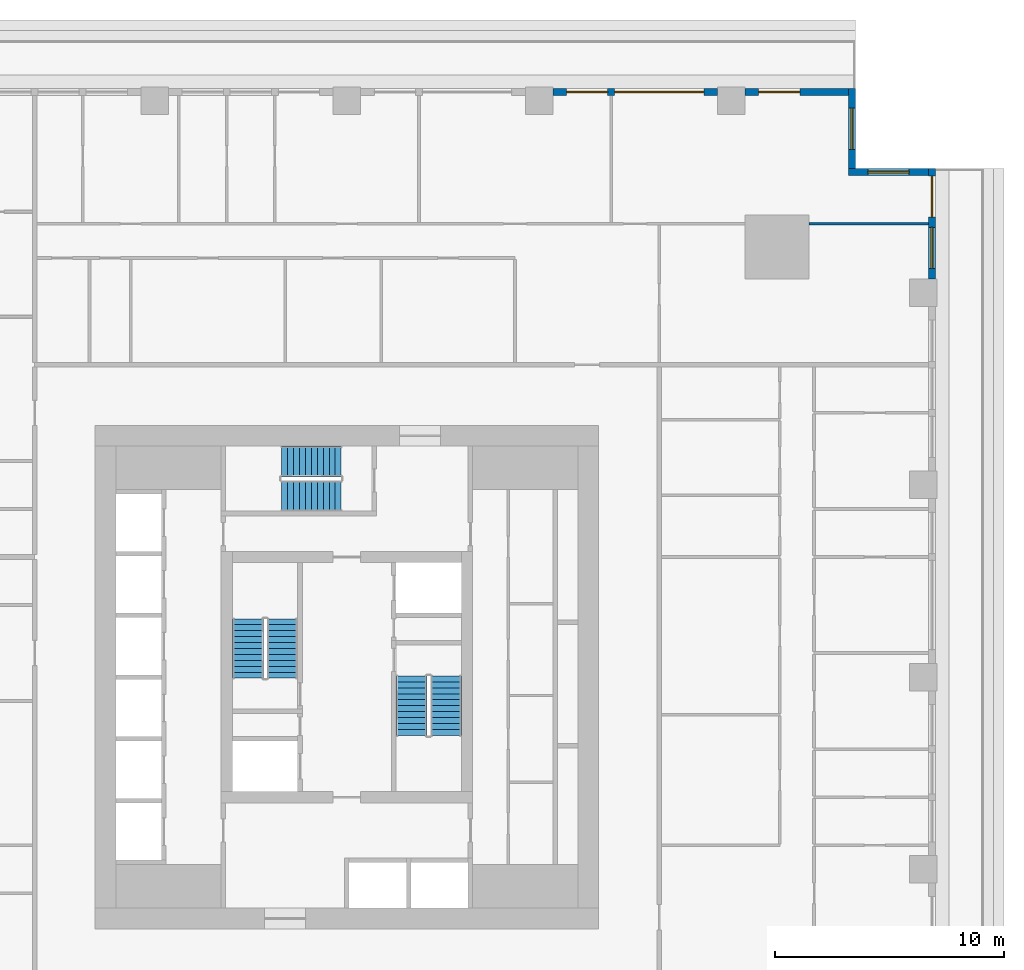
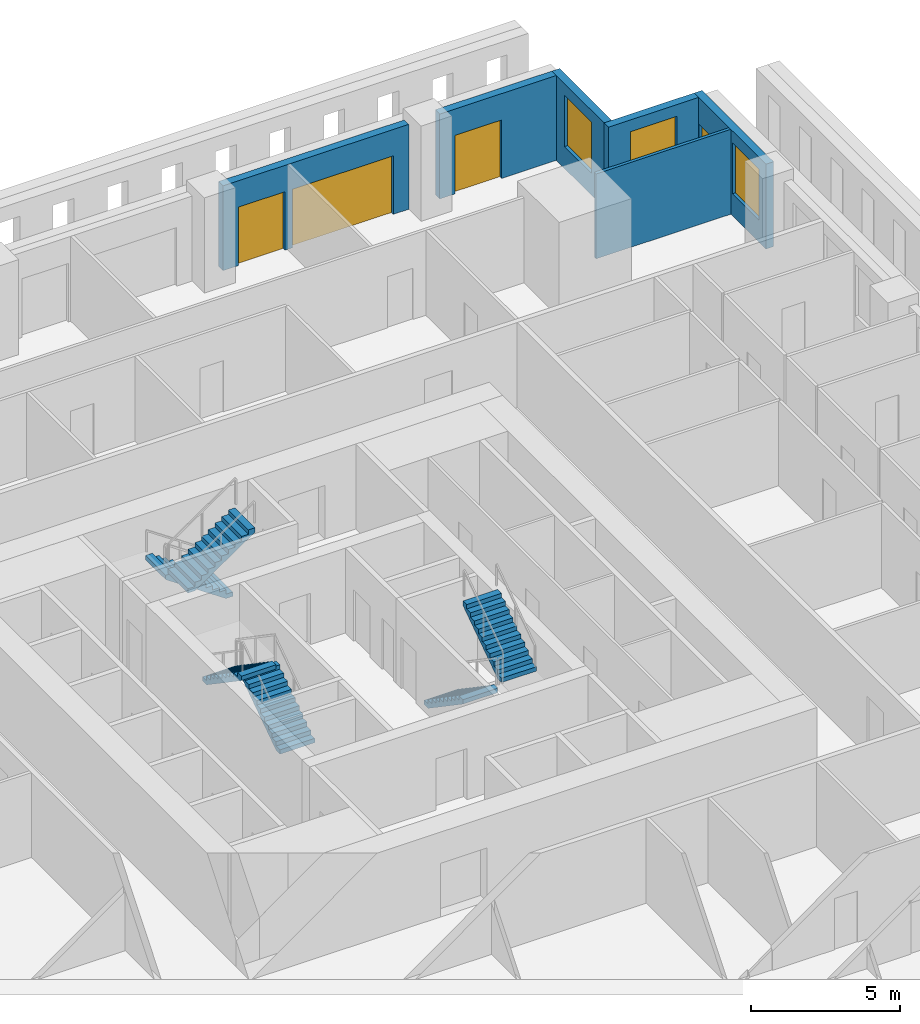
# One storey, part 9 of 14: 6 stair flights, 6 walls, 4 doors, 3 windows, 7 openings, 3 elements without a shape of their own.
"""IFC4 building model written with IfcOpenShell, lengths in metres."""

import ifcopenshell
import ifcopenshell.guid

model = None  # the IFC model being written
_history = None  # IfcOwnerHistory: only IFC2X3 demands one
_inside = {}  # id of a spatial element -> (the spatial element, [elements in it])
_under = {}  # id of a project, library or spatial element -> (it, [spatial elements below it])
_declared = {}  # id of a project -> (the project, [libraries it declares])
_typed = {}  # id of a type object -> (the type object, [elements of that type])
_made_of = {}  # id of a material, layer set ... -> (it, [elements and type objects made of it])


def new_model(schema):
    """Start an empty IFC model of exactly this schema.

    Asked for "IFC4X3", IfcOpenShell would pick the latest addendum, in which some entities
    have other attributes; the version numbers below select the first issue.
    IFC2X3 requires an IfcOwnerHistory on every rooted entity: one is made here for all.
    """
    global model, _history
    if schema == "IFC4X3":
        model = ifcopenshell.file(schema_version=(4, 3, 0, 0))
    else:
        model = ifcopenshell.file(schema=schema)
    _inside.clear()
    _under.clear()
    _declared.clear()
    _typed.clear()
    _made_of.clear()
    _history = None
    if model.schema == "IFC2X3":
        org = make("IfcOrganization", Name="unknown")
        user = make(
            "IfcPersonAndOrganization",
            ThePerson=make("IfcPerson", FamilyName="unknown"),
            TheOrganization=org,
        )
        app = make(
            "IfcApplication",
            ApplicationDeveloper=org,
            Version="unknown",
            ApplicationFullName="unknown",
            ApplicationIdentifier="unknown",
        )
        _history = make(
            "IfcOwnerHistory",
            OwningUser=user,
            OwningApplication=app,
            ChangeAction="ADDED",
            CreationDate=0,
        )
    return model


def make(cls, **values):
    """One entity of the class cls with the attributes given. An attribute that is None is left unset."""
    return model.create_entity(
        cls, **{name: value for name, value in values.items() if value is not None}
    )


def rooted(cls, **values):
    """An entity with a GlobalId (a new one), such as an element, a storey or a relation."""
    return make(cls, GlobalId=ifcopenshell.guid.new(), OwnerHistory=_history, **values)


def si_unit(unit_type, name, prefix=None):
    """IfcSIUnit, for example si_unit("LENGTHUNIT", "METRE", prefix="MILLI")."""
    return make("IfcSIUnit", UnitType=unit_type, Prefix=prefix, Name=name)


def assignment(units):
    """IfcUnitAssignment: the units of a project."""
    return None if units is None else make("IfcUnitAssignment", Units=units)


def point(xyz):
    """IfcCartesianPoint."""
    return None if xyz is None else make("IfcCartesianPoint", Coordinates=xyz)


def direction(xyz):
    """IfcDirection."""
    return None if xyz is None else make("IfcDirection", DirectionRatios=xyz)


def frame(location, z_axis=None, x_axis=None):
    """IfcAxis2Placement3D, a coordinate frame: its origin and axes. An axis left out is left unset."""
    return make(
        "IfcAxis2Placement3D",
        Location=point(location),
        Axis=direction(z_axis),
        RefDirection=direction(x_axis),
    )


def frame_2d(location, x_axis=None):
    """IfcAxis2Placement2D, a coordinate frame in the plane: its origin and x axis."""
    return make(
        "IfcAxis2Placement2D", Location=point(location), RefDirection=direction(x_axis)
    )


def origin():
    """The frame at (0, 0, 0) with its axes left unset."""
    return frame((0.0, 0.0, 0.0))


def place(relative_to, where):
    """IfcLocalPlacement: puts the frame where relative to a parent placement (None: the world)."""
    return make(
        "IfcLocalPlacement", PlacementRelTo=relative_to, RelativePlacement=where
    )


def context(
    kind, dimensions, precision=None, world=None, true_north=None, identifier=None
):
    """IfcGeometricRepresentationContext, for example the 3D "Model" context."""
    return make(
        "IfcGeometricRepresentationContext",
        ContextIdentifier=identifier,
        ContextType=kind,
        CoordinateSpaceDimension=dimensions,
        Precision=precision,
        WorldCoordinateSystem=world,
        TrueNorth=true_north,
    )


def subcontext(parent, identifier, kind, view, scale=None):
    """IfcGeometricRepresentationSubContext, for example "Body" below "Model"."""
    return make(
        "IfcGeometricRepresentationSubContext",
        ContextIdentifier=identifier,
        ContextType=kind,
        ParentContext=parent,
        TargetScale=scale,
        TargetView=view,
    )


def project(units=None, contexts=None):
    """IfcProject with its units and contexts."""
    return rooted(
        "IfcProject",
        Name="project",
        RepresentationContexts=contexts,
        UnitsInContext=assignment(units),
    )


def spatial(cls, under=None, at=None, **own):
    """A site, building, storey or space (cls), placed at a placement, below another one or the project."""
    s = rooted(cls, ObjectPlacement=at, **own)
    if under is not None:
        _under.setdefault(under.id(), (under, []))[1].append(s)
    return s


def polyline(points):
    """IfcPolyline through the points."""
    return make("IfcPolyline", Points=[point(p) for p in points])


def profile(cls, at=None, kind="AREA", **sizes):
    """A parametric profile (cls). Its sizes go by their IFC names, for example OverallWidth=200.0."""
    return make(cls, ProfileType=kind, Position=at, **sizes)


def rectangle(**sizes):
    """IfcRectangleProfileDef."""
    return profile("IfcRectangleProfileDef", **sizes)


def outline(outer, holes=None, kind="AREA"):
    """IfcArbitraryClosedProfileDef: a profile drawn as a closed curve; with holes, ...WithVoids."""
    if holes is None:
        return make("IfcArbitraryClosedProfileDef", ProfileType=kind, OuterCurve=outer)
    return make(
        "IfcArbitraryProfileDefWithVoids",
        ProfileType=kind,
        OuterCurve=outer,
        InnerCurves=holes,
    )


def extrude(swept, where, along, depth):
    """IfcExtrudedAreaSolid: the profile swept, set in the frame where, extruded along a direction by depth."""
    return make(
        "IfcExtrudedAreaSolid",
        SweptArea=swept,
        Position=where,
        ExtrudedDirection=direction(along),
        Depth=depth,
    )


def shape(context_of_items, identifier, shape_type, items):
    """IfcShapeRepresentation: the items that make up one representation, for example the "Body"."""
    return make(
        "IfcShapeRepresentation",
        ContextOfItems=context_of_items,
        RepresentationIdentifier=identifier,
        RepresentationType=shape_type,
        Items=items,
    )


def material(Name=None, Category=None):
    """IfcMaterial."""
    return make("IfcMaterial", Name=Name, Category=Category)


def layer(
    of_material, thickness, ventilated=None, Name=None, Category=None, Priority=None
):
    """IfcMaterialLayer: one layer of a wall or slab, of a material (None: an air gap)."""
    return make(
        "IfcMaterialLayer",
        Material=of_material,
        LayerThickness=thickness,
        IsVentilated=ventilated,
        Name=Name,
        Category=Category,
        Priority=Priority,
    )


def layer_set(layers, Name=None):
    """IfcMaterialLayerSet."""
    return make("IfcMaterialLayerSet", MaterialLayers=layers, LayerSetName=Name)


def made_of(thing, what):
    """Note that an element or type object is made of a material, layer set ...; save() writes the relation."""
    if what is not None:
        _made_of.setdefault(what.id(), (what, []))[1].append(thing)
    return thing


def type_object(cls, material=None, **own):
    """A type object (cls), such as IfcWallType, which elements share."""
    return made_of(rooted(cls, **own), material)


def element(
    cls,
    number,
    at=None,
    inside=None,
    cuts=None,
    type_object=None,
    material=None,
    context=None,
    identifier="Body",
    shape_type=None,
    held_by="IfcProductDefinitionShape",
    body=None,
    shapes=None,
    **own,
):
    """One element of the class cls, such as IfcWall. Its Tag is "e" and its number.

    at: its placement. inside: the storey or other place that contains it. cuts: it is an
    opening in that element (IfcRelVoidsElement). A single representation is given by context,
    identifier, shape_type and body (its items); several are given by shapes. held_by: the class
    of the entity that holds the representations. save() writes the other relations.
    """
    e = rooted(cls, Tag="e%d" % number, ObjectPlacement=at, **own)
    if body is not None:
        shapes = [shape(context, identifier, shape_type, body)]
    if shapes is not None:
        e.Representation = make(held_by, Representations=shapes)
    if inside is not None:
        _inside.setdefault(inside.id(), (inside, []))[1].append(e)
    if cuts is not None:
        rooted(
            "IfcRelVoidsElement", RelatingBuildingElement=cuts, RelatedOpeningElement=e
        )
    if type_object is not None:
        _typed.setdefault(type_object.id(), (type_object, []))[1].append(e)
    return made_of(e, material)


def fill(opening, filler):
    """IfcRelFillsElement: the door or window that sits in an opening."""
    return rooted(
        "IfcRelFillsElement",
        RelatingOpeningElement=opening,
        RelatedBuildingElement=filler,
    )


def aggregate(whole, parts):
    """IfcRelAggregates: a whole, such as a stair, and the parts it consists of."""
    return rooted("IfcRelAggregates", RelatingObject=whole, RelatedObjects=parts)


def save(model, path):
    """Write the relations noted so far, then the file.

    IfcRelAggregates (storeys below a building ...), IfcRelContainedInSpatialStructure (elements
    in a storey), IfcRelDefinesByType, IfcRelAssociatesMaterial and IfcRelDeclares: one each for
    every whole, place, type object, material and project.
    """
    for whole, parts in _under.values():
        aggregate(whole, parts)
    for where, things in _inside.values():
        rooted(
            "IfcRelContainedInSpatialStructure",
            RelatedElements=things,
            RelatingStructure=where,
        )
    for kind, things in _typed.values():
        rooted("IfcRelDefinesByType", RelatedObjects=things, RelatingType=kind)
    for what, things in _made_of.values():
        rooted("IfcRelAssociatesMaterial", RelatedObjects=things, RelatingMaterial=what)
    for by, libraries in _declared.values():
        rooted("IfcRelDeclares", RelatingContext=by, RelatedDefinitions=libraries)
    model.write(path)


model = new_model("IFC4")

# Units and contexts
model_context = context("Model", 3, precision=1e-05, world=origin(), true_north=direction((0.0, 1.0)))
body_context = subcontext(model_context, "Body", "Model", "MODEL_VIEW")
ifc_project = project(units=[si_unit("LENGTHUNIT", "METRE"), si_unit("AREAUNIT", "SQUARE_METRE"), si_unit("VOLUMEUNIT", "CUBIC_METRE"), si_unit("PLANEANGLEUNIT", "RADIAN"), si_unit("MASSUNIT", "GRAM", prefix="KILO")], contexts=[model_context])

# Site, building, storey
site_placement = place(None, origin())
site = spatial("IfcSite", under=ifc_project, at=site_placement, CompositionType="ELEMENT")
building_placement = place(site_placement, origin())
building = spatial("IfcBuilding", under=site, at=building_placement, Name="Khepri Terraces", CompositionType="ELEMENT")
storey_placement = place(building_placement, frame((0.0, 0.0, 110.39990234375)))
storey = spatial("IfcBuildingStorey", under=building, at=storey_placement, Name="L26", CompositionType="ELEMENT", Elevation=110.39990234375)

# Wall, openings, door, window
ifc_material_1 = material(Name="Precast concrete C50/60 warm stone", Category="masonry")
ifc_layer_1 = layer(ifc_material_1, 0.300048828125, Name="Precast concrete C50/60 warm stone", Category="masonry")
ifc_layer_set_1 = layer_set([ifc_layer_1], Name="Precast concrete C50/60 warm stone")
wall_type_1 = type_object("IfcWallType", Name="WL-EXT-PRECAST-300", PredefinedType="STANDARD", material=ifc_layer_set_1)
wall_1_placement = place(storey_placement, frame((25.570068359375, 17.39990234375, 0.0), z_axis=(0.0, 0.0, 1.0), x_axis=(0.0, 1.0, 0.0)))
wall_1 = element("IfcWall", 1, at=wall_1_placement, inside=storey, type_object=wall_type_1, Name="External wall L26 E", PredefinedType="STANDARD", context=body_context, shape_type="SweptSolid", body=[
    extrude(rectangle(XDim=4.820068359375, YDim=0.300048828125, at=frame_2d((2.41015625, 0.0))), origin(), (0.0, 0.0, 1.0), 3.47998046875),
])
opening_1_placement = place(wall_1_placement, frame((2.699951171875, 0.0, 0.0)))
opening_1 = element("IfcOpeningElement", 2, at=opening_1_placement, cuts=wall_1, Name="Opening ED-L26-04", PredefinedType="OPENING", context=body_context, shape_type="SweptSolid", body=[
    extrude(rectangle(XDim=1.800048828125, YDim=2.39990234375, at=frame_2d((0.89990234375, 1.199951171875))), frame((0.0, 0.16015625, 0.0), z_axis=(0.0, -1.0, 0.0), x_axis=(1.0, 0.0, 0.0)), (0.0, 0.0, 1.0), 0.320068359375),
])
opening_2_placement = place(wall_1_placement, frame((0.4599609375, 0.0, 0.89990234375)))
opening_2 = element("IfcOpeningElement", 3, at=opening_2_placement, cuts=wall_1, Name="Opening W1", PredefinedType="OPENING", context=body_context, shape_type="SweptSolid", body=[
    extrude(rectangle(XDim=1.800048828125, YDim=2.10009765625, at=frame_2d((0.89990234375, 1.050048828125))), frame((0.0, 0.16015625, 0.0), z_axis=(0.0, -1.0, 0.0), x_axis=(1.0, 0.0, 0.0)), (0.0, 0.0, 1.0), 0.320068359375),
])
ifc_material_2 = material(Name="Anodised aluminium bronze glazed door", Category="aluminium")
door_type_1 = type_object("IfcDoorType", Name="DR-BAL-SLIDE-1800x2400", OperationType="NOTDEFINED", PredefinedType="DOOR", material=ifc_material_2)
door_1_placement = place(opening_1_placement, origin())
door_1 = element("IfcDoor", 4, at=door_1_placement, inside=storey, type_object=door_type_1, Name="Balcony door L26 E", OperationType="SLIDING_TO_LEFT", OverallHeight=2.39990234375, OverallWidth=1.800048828125, PredefinedType="DOOR", context=body_context, shape_type="SweptSolid", body=[
    extrude(rectangle(XDim=1.800048828125, YDim=2.39990234375, at=frame_2d((0.89990234375, 1.199951171875))), frame((0.0, 0.02490234375, 0.0), z_axis=(0.0, -1.0, 0.0), x_axis=(1.0, 0.0, 0.0)), (0.0, 0.0, 1.0), 0.050048828125),
])
fill(opening_1, door_1)
ifc_material_3 = material(Name="Clear glass", Category="glass")
window_type = type_object("IfcWindowType", Name="WIN-RES-1800x2100", PartitioningType="SINGLE_PANEL", PredefinedType="WINDOW", material=ifc_material_3)
window_1_placement = place(opening_2_placement, origin())
window_1 = element("IfcWindow", 5, at=window_1_placement, inside=storey, type_object=window_type, Name="Window L26 E", OverallHeight=2.10009765625, OverallWidth=1.800048828125, PartitioningType="SINGLE_PANEL", PredefinedType="WINDOW", context=body_context, shape_type="SweptSolid", body=[
    extrude(rectangle(XDim=1.800048828125, YDim=2.10009765625, at=frame_2d((0.89990234375, 1.050048828125))), frame((0.0, 0.030029296875, 0.0), z_axis=(0.0, -1.0, 0.0), x_axis=(1.0, 0.0, 0.0)), (0.0, 0.0, 1.0), 0.06005859375),
])
fill(opening_2, window_1)

# Wall, opening, window
wall_2_placement = place(storey_placement, frame((25.419921875, 22.070068359375, 0.0), z_axis=(0.0, 0.0, 1.0), x_axis=(-1.0, 0.0, 0.0)))
wall_2 = element("IfcWall", 6, at=wall_2_placement, inside=storey, type_object=wall_type_1, Name="External wall L26 N", PredefinedType="STANDARD", context=body_context, shape_type="SweptSolid", body=[
    extrude(rectangle(XDim=3.5, YDim=0.300048828125, at=frame_2d((1.75, 0.0))), origin(), (0.0, 0.0, 1.0), 3.47998046875),
])
opening_3_placement = place(wall_2_placement, frame((0.85009765625, 0.0, 0.89990234375)))
opening_3 = element("IfcOpeningElement", 7, at=opening_3_placement, cuts=wall_2, Name="Opening W1", PredefinedType="OPENING", context=body_context, shape_type="SweptSolid", body=[
    extrude(rectangle(XDim=1.800048828125, YDim=2.10009765625, at=frame_2d((0.89990234375, 1.050048828125))), frame((0.0, 0.16015625, 0.0), z_axis=(0.0, -1.0, 0.0), x_axis=(1.0, 0.0, 0.0)), (0.0, 0.0, 1.0), 0.320068359375),
])
window_2_placement = place(opening_3_placement, origin())
window_2 = element("IfcWindow", 8, at=window_2_placement, inside=storey, type_object=window_type, Name="Window L26 N", OverallHeight=2.10009765625, OverallWidth=1.800048828125, PartitioningType="SINGLE_PANEL", PredefinedType="WINDOW", context=body_context, shape_type="SweptSolid", body=[
    extrude(rectangle(XDim=1.800048828125, YDim=2.10009765625, at=frame_2d((0.89990234375, 1.050048828125))), frame((0.0, 0.030029296875, 0.0), z_axis=(0.0, -1.0, 0.0), x_axis=(1.0, 0.0, 0.0)), (0.0, 0.0, 1.0), 0.06005859375),
])
fill(opening_3, window_2)

wall_3_placement = place(storey_placement, frame((22.070068359375, 22.219970703125, 0.0), z_axis=(0.0, 0.0, 1.0), x_axis=(0.0, 1.0, 0.0)))
wall_3 = element("IfcWall", 9, at=wall_3_placement, inside=storey, type_object=wall_type_1, Name="External wall L26 E", PredefinedType="STANDARD", context=body_context, shape_type="SweptSolid", body=[
    extrude(rectangle(XDim=3.5, YDim=0.300048828125, at=frame_2d((1.75, 0.0))), origin(), (0.0, 0.0, 1.0), 3.47998046875),
])
opening_4_placement = place(wall_3_placement, frame((0.85009765625, 0.0, 0.89990234375)))
opening_4 = element("IfcOpeningElement", 10, at=opening_4_placement, cuts=wall_3, Name="Opening W1", PredefinedType="OPENING", context=body_context, shape_type="SweptSolid", body=[
    extrude(rectangle(XDim=1.800048828125, YDim=2.10009765625, at=frame_2d((0.89990234375, 1.050048828125))), frame((0.0, 0.16015625, 0.0), z_axis=(0.0, -1.0, 0.0), x_axis=(1.0, 0.0, 0.0)), (0.0, 0.0, 1.0), 0.320068359375),
])
window_3_placement = place(opening_4_placement, origin())
window_3 = element("IfcWindow", 11, at=window_3_placement, inside=storey, type_object=window_type, Name="Window L26 E", OverallHeight=2.10009765625, OverallWidth=1.800048828125, PartitioningType="SINGLE_PANEL", PredefinedType="WINDOW", context=body_context, shape_type="SweptSolid", body=[
    extrude(rectangle(XDim=1.800048828125, YDim=2.10009765625, at=frame_2d((0.89990234375, 1.050048828125))), frame((0.0, 0.030029296875, 0.0), z_axis=(0.0, -1.0, 0.0), x_axis=(1.0, 0.0, 0.0)), (0.0, 0.0, 1.0), 0.06005859375),
])
fill(opening_4, window_3)

# Wall, opening, door
wall_4_placement = place(storey_placement, frame((21.919921875, 25.570068359375, 0.0), z_axis=(0.0, 0.0, 1.0), x_axis=(-1.0, 0.0, 0.0)))
wall_4 = element("IfcWall", 12, at=wall_4_placement, inside=storey, type_object=wall_type_1, Name="External wall L26 N", PredefinedType="STANDARD", context=body_context, shape_type="SweptSolid", body=[
    extrude(rectangle(XDim=4.52001953125, YDim=0.300048828125, at=frame_2d((2.260009765625, 0.0))), origin(), (0.0, 0.0, 1.0), 3.47998046875),
])
opening_5_placement = place(wall_4_placement, frame((2.1201171875, 0.0, 0.0)))
opening_5 = element("IfcOpeningElement", 13, at=opening_5_placement, cuts=wall_4, Name="Opening ED-L26-05", PredefinedType="OPENING", context=body_context, shape_type="SweptSolid", body=[
    extrude(rectangle(XDim=1.800048828125, YDim=2.39990234375, at=frame_2d((0.89990234375, 1.199951171875))), frame((0.0, 0.16015625, 0.0), z_axis=(0.0, -1.0, 0.0), x_axis=(1.0, 0.0, 0.0)), (0.0, 0.0, 1.0), 0.320068359375),
])
door_2_placement = place(opening_5_placement, origin())
door_2 = element("IfcDoor", 14, at=door_2_placement, inside=storey, type_object=door_type_1, Name="Balcony door L26 N", OperationType="SLIDING_TO_RIGHT", OverallHeight=2.39990234375, OverallWidth=1.800048828125, PredefinedType="DOOR", context=body_context, shape_type="SweptSolid", body=[
    extrude(rectangle(XDim=1.800048828125, YDim=2.39990234375, at=frame_2d((0.89990234375, 1.199951171875))), frame((0.0, 0.02490234375, 0.0), z_axis=(0.0, -1.0, 0.0), x_axis=(1.0, 0.0, 0.0)), (0.0, 0.0, 1.0), 0.050048828125),
])
fill(opening_5, door_2)

# Wall, openings, doors
wall_5_placement = place(storey_placement, frame((16.199951171875, 25.570068359375, 0.0), z_axis=(0.0, 0.0, 1.0), x_axis=(-1.0, 0.0, 0.0)))
wall_5 = element("IfcWall", 15, at=wall_5_placement, inside=storey, type_object=wall_type_1, Name="External wall L26 N", PredefinedType="STANDARD", context=body_context, shape_type="SweptSolid", body=[
    extrude(rectangle(XDim=7.199951171875, YDim=0.300048828125, at=frame_2d((3.60009765625, 0.0))), origin(), (0.0, 0.0, 1.0), 3.47998046875),
])
opening_6_placement = place(wall_5_placement, frame((0.60009765625, 0.0, 0.0)))
opening_6 = element("IfcOpeningElement", 16, at=opening_6_placement, cuts=wall_5, Name="Opening ED-L26-06", PredefinedType="OPENING", context=body_context, shape_type="SweptSolid", body=[
    extrude(rectangle(XDim=3.89990234375, YDim=2.39990234375, at=frame_2d((1.949951171875, 1.199951171875))), frame((0.0, 0.16015625, 0.0), z_axis=(0.0, -1.0, 0.0), x_axis=(1.0, 0.0, 0.0)), (0.0, 0.0, 1.0), 0.320068359375),
])
opening_7_placement = place(wall_5_placement, frame((4.800048828125, 0.0, 0.0)))
opening_7 = element("IfcOpeningElement", 17, at=opening_7_placement, cuts=wall_5, Name="Opening ED-L26-07", PredefinedType="OPENING", context=body_context, shape_type="SweptSolid", body=[
    extrude(rectangle(XDim=1.800048828125, YDim=2.39990234375, at=frame_2d((0.89990234375, 1.199951171875))), frame((0.0, 0.16015625, 0.0), z_axis=(0.0, -1.0, 0.0), x_axis=(1.0, 0.0, 0.0)), (0.0, 0.0, 1.0), 0.320068359375),
])
door_3_placement = place(opening_7_placement, origin())
door_3 = element("IfcDoor", 18, at=door_3_placement, inside=storey, type_object=door_type_1, Name="Balcony door L26 N", OperationType="SLIDING_TO_RIGHT", OverallHeight=2.39990234375, OverallWidth=1.800048828125, PredefinedType="DOOR", context=body_context, shape_type="SweptSolid", body=[
    extrude(rectangle(XDim=1.800048828125, YDim=2.39990234375, at=frame_2d((0.89990234375, 1.199951171875))), frame((0.0, 0.02490234375, 0.0), z_axis=(0.0, -1.0, 0.0), x_axis=(1.0, 0.0, 0.0)), (0.0, 0.0, 1.0), 0.050048828125),
])
fill(opening_7, door_3)
door_type_2 = type_object("IfcDoorType", Name="DR-BAL-SLIDE-3900x2400", OperationType="NOTDEFINED", PredefinedType="DOOR", material=ifc_material_2)
door_4_placement = place(opening_6_placement, origin())
door_4 = element("IfcDoor", 19, at=door_4_placement, inside=storey, type_object=door_type_2, Name="Balcony door L26 N", OperationType="SLIDING_TO_LEFT", OverallHeight=2.39990234375, OverallWidth=3.89990234375, PredefinedType="DOOR", context=body_context, shape_type="SweptSolid", body=[
    extrude(rectangle(XDim=3.89990234375, YDim=2.39990234375, at=frame_2d((1.949951171875, 1.199951171875))), frame((0.0, 0.02490234375, 0.0), z_axis=(0.0, -1.0, 0.0), x_axis=(1.0, 0.0, 0.0)), (0.0, 0.0, 1.0), 0.050048828125),
])
fill(opening_6, door_4)

# Wall
ifc_material_4 = material(Name="Gypsum plasterboard partition")
ifc_layer_2 = layer(ifc_material_4, 0.1201171875, Name="Gypsum plasterboard partition")
ifc_layer_set_2 = layer_set([ifc_layer_2], Name="Gypsum plasterboard partition")
wall_type_2 = type_object("IfcWallType", Name="WL-PART-120", PredefinedType="PARTITIONING", material=ifc_layer_set_2)
wall_6_placement = place(storey_placement, frame((20.199951171875, 19.820068359375, 0.0), z_axis=(0.0, 0.0, 1.0), x_axis=(1.0, 0.0, 0.0)))
element("IfcWall", 20, at=wall_6_placement, inside=storey, type_object=wall_type_2, Name="Partition P-077 L26", PredefinedType="PARTITIONING", context=body_context, shape_type="SweptSolid", body=[
    extrude(rectangle(XDim=5.219970703125, YDim=0.1201171875, at=frame_2d((2.60986328125, 0.0))), origin(), (0.0, 0.0, 1.0), 3.47998046875),
])

# Stair, stair flights
ifc_material_5 = material(Name="Concrete C40/50", Category="concrete")
stair_type = type_object("IfcStairType", Name="STAIR-RC-22R", PredefinedType="HALF_TURN_STAIR", material=ifc_material_5)
stair_1_placement = place(storey_placement, origin())
stair_1 = element("IfcStair", 21, at=stair_1_placement, inside=storey, type_object=stair_type, Name="L26 Exit Stair ST-1", PredefinedType="HALF_TURN_STAIR")
stair_flight_type = type_object("IfcStairFlightType", Name="SFL-RC-177.3", PredefinedType="STRAIGHT", material=ifc_material_5)
stair_flight_1_placement = place(storey_placement, frame((-2.824951171875, -0.050048828125, 0.0), z_axis=(0.0, 0.0, 1.0), x_axis=(0.0, 1.0, 0.0)))
stair_flight_1 = element("IfcStairFlight", 22, at=stair_flight_1_placement, type_object=stair_flight_type, Name="ST-1 flight 1", NumberOfRisers=11, NumberOfTreads=10, PredefinedType="STRAIGHT", RiserHeight=0.177272727, TreadLength=0.26, context=body_context, shape_type="SweptSolid", body=[
    extrude(outline(polyline([(0.0, 0.0), (0.0, 0.17724609375), (0.260009765625, 0.17724609375), (0.260009765625, 0.3544921875), (0.52001953125, 0.3544921875), (0.52001953125, 0.53173828125), (0.780029296875, 0.53173828125), (0.780029296875, 0.708984375), (1.0400390625, 0.708984375), (1.0400390625, 0.886474609375), (1.300048828125, 0.886474609375), (1.300048828125, 1.063720703125), (1.56005859375, 1.063720703125), (1.56005859375, 1.240966796875), (1.820068359375, 1.240966796875), (1.820068359375, 1.418212890625), (2.080078125, 1.418212890625), (2.080078125, 1.595458984375), (2.340087890625, 1.595458984375), (2.340087890625, 1.772705078125), (2.60009765625, 1.772705078125), (2.60009765625, 1.949951171875), (2.60009765625, 1.59130859375), (0.26611328125, 0.0), (0.0, 0.0)])), frame((0.0, 0.675048828125, 0.0), z_axis=(0.0, -1.0, 0.0), x_axis=(1.0, 0.0, 0.0)), (0.0, 0.0, 1.0), 1.35009765625),
])
stair_flight_2_placement = place(storey_placement, frame((-4.324951171875, 2.550048828125, 1.9501953125), z_axis=(0.0, 0.0, 1.0), x_axis=(0.0, -1.0, 0.0)))
stair_flight_2 = element("IfcStairFlight", 23, at=stair_flight_2_placement, type_object=stair_flight_type, Name="ST-1 flight 2", NumberOfRisers=11, NumberOfTreads=10, PredefinedType="STRAIGHT", RiserHeight=0.177272727, TreadLength=0.26, context=body_context, shape_type="SweptSolid", body=[
    extrude(outline(polyline([(0.0, 0.0), (0.0, 0.17724609375), (0.260009765625, 0.17724609375), (0.260009765625, 0.3544921875), (0.52001953125, 0.3544921875), (0.52001953125, 0.53173828125), (0.780029296875, 0.53173828125), (0.780029296875, 0.708984375), (1.0400390625, 0.708984375), (1.0400390625, 0.886474609375), (1.300048828125, 0.886474609375), (1.300048828125, 1.063720703125), (1.56005859375, 1.063720703125), (1.56005859375, 1.240966796875), (1.820068359375, 1.240966796875), (1.820068359375, 1.418212890625), (2.080078125, 1.418212890625), (2.080078125, 1.595458984375), (2.340087890625, 1.595458984375), (2.340087890625, 1.772705078125), (2.60009765625, 1.772705078125), (2.60009765625, 1.949951171875), (2.60009765625, 1.59130859375), (0.26611328125, 0.0), (0.0, 0.0)])), frame((0.0, 0.675048828125, 0.0), z_axis=(0.0, -1.0, 0.0), x_axis=(1.0, 0.0, 0.0)), (0.0, 0.0, 1.0), 1.35009765625),
])
aggregate(stair_1, [stair_flight_1, stair_flight_2])

stair_2_placement = place(storey_placement, origin())
stair_2 = element("IfcStair", 24, at=stair_2_placement, inside=storey, type_object=stair_type, Name="L26 Exit Stair ST-2", PredefinedType="HALF_TURN_STAIR")
stair_flight_3_placement = place(storey_placement, frame((2.824951171875, 0.050048828125, 0.0), z_axis=(0.0, 0.0, 1.0), x_axis=(0.0, -1.0, 0.0)))
stair_flight_3 = element("IfcStairFlight", 25, at=stair_flight_3_placement, type_object=stair_flight_type, Name="ST-2 flight 1", NumberOfRisers=11, NumberOfTreads=10, PredefinedType="STRAIGHT", RiserHeight=0.177272727, TreadLength=0.26, context=body_context, shape_type="SweptSolid", body=[
    extrude(outline(polyline([(0.0, 0.0), (0.0, 0.17724609375), (0.260009765625, 0.17724609375), (0.260009765625, 0.3544921875), (0.52001953125, 0.3544921875), (0.52001953125, 0.53173828125), (0.780029296875, 0.53173828125), (0.780029296875, 0.708984375), (1.0400390625, 0.708984375), (1.0400390625, 0.886474609375), (1.300048828125, 0.886474609375), (1.300048828125, 1.063720703125), (1.56005859375, 1.063720703125), (1.56005859375, 1.240966796875), (1.820068359375, 1.240966796875), (1.820068359375, 1.418212890625), (2.080078125, 1.418212890625), (2.080078125, 1.595458984375), (2.340087890625, 1.595458984375), (2.340087890625, 1.772705078125), (2.60009765625, 1.772705078125), (2.60009765625, 1.949951171875), (2.60009765625, 1.59130859375), (0.26611328125, 0.0), (0.0, 0.0)])), frame((0.0, 0.675048828125, 0.0), z_axis=(0.0, -1.0, 0.0), x_axis=(1.0, 0.0, 0.0)), (0.0, 0.0, 1.0), 1.35009765625),
])
stair_flight_4_placement = place(storey_placement, frame((4.324951171875, -2.550048828125, 1.9501953125), z_axis=(0.0, 0.0, 1.0), x_axis=(0.0, 1.0, 0.0)))
stair_flight_4 = element("IfcStairFlight", 26, at=stair_flight_4_placement, type_object=stair_flight_type, Name="ST-2 flight 2", NumberOfRisers=11, NumberOfTreads=10, PredefinedType="STRAIGHT", RiserHeight=0.177272727, TreadLength=0.26, context=body_context, shape_type="SweptSolid", body=[
    extrude(outline(polyline([(0.0, 0.0), (0.0, 0.17724609375), (0.260009765625, 0.17724609375), (0.260009765625, 0.3544921875), (0.52001953125, 0.3544921875), (0.52001953125, 0.53173828125), (0.780029296875, 0.53173828125), (0.780029296875, 0.708984375), (1.0400390625, 0.708984375), (1.0400390625, 0.886474609375), (1.300048828125, 0.886474609375), (1.300048828125, 1.063720703125), (1.56005859375, 1.063720703125), (1.56005859375, 1.240966796875), (1.820068359375, 1.240966796875), (1.820068359375, 1.418212890625), (2.080078125, 1.418212890625), (2.080078125, 1.595458984375), (2.340087890625, 1.595458984375), (2.340087890625, 1.772705078125), (2.60009765625, 1.772705078125), (2.60009765625, 1.949951171875), (2.60009765625, 1.59130859375), (0.26611328125, 0.0), (0.0, 0.0)])), frame((0.0, 0.675048828125, 0.0), z_axis=(0.0, -1.0, 0.0), x_axis=(1.0, 0.0, 0.0)), (0.0, 0.0, 1.0), 1.35009765625),
])
aggregate(stair_2, [stair_flight_3, stair_flight_4])

stair_3_placement = place(storey_placement, origin())
stair_3 = element("IfcStair", 27, at=stair_3_placement, inside=storey, type_object=stair_type, Name="L26 Exit Stair ST-3", PredefinedType="HALF_TURN_STAIR")
stair_flight_5_placement = place(storey_placement, frame((-0.25, 9.425048828125, 0.0), z_axis=(0.0, 0.0, 1.0), x_axis=(-1.0, 0.0, 0.0)))
stair_flight_5 = element("IfcStairFlight", 28, at=stair_flight_5_placement, type_object=stair_flight_type, Name="ST-3 flight 1", NumberOfRisers=11, NumberOfTreads=10, PredefinedType="STRAIGHT", RiserHeight=0.177272727, TreadLength=0.26, context=body_context, shape_type="SweptSolid", body=[
    extrude(outline(polyline([(0.0, 0.0), (0.0, 0.17724609375), (0.260009765625, 0.17724609375), (0.260009765625, 0.3544921875), (0.52001953125, 0.3544921875), (0.52001953125, 0.53173828125), (0.780029296875, 0.53173828125), (0.780029296875, 0.708984375), (1.0400390625, 0.708984375), (1.0400390625, 0.886474609375), (1.300048828125, 0.886474609375), (1.300048828125, 1.063720703125), (1.56005859375, 1.063720703125), (1.56005859375, 1.240966796875), (1.820068359375, 1.240966796875), (1.820068359375, 1.418212890625), (2.080078125, 1.418212890625), (2.080078125, 1.595458984375), (2.340087890625, 1.595458984375), (2.340087890625, 1.772705078125), (2.60009765625, 1.772705078125), (2.60009765625, 1.949951171875), (2.60009765625, 1.59130859375), (0.26611328125, 0.0), (0.0, 0.0)])), frame((0.0, 0.675048828125, 0.0), z_axis=(0.0, -1.0, 0.0), x_axis=(1.0, 0.0, 0.0)), (0.0, 0.0, 1.0), 1.35009765625),
])
stair_flight_6_placement = place(storey_placement, frame((-2.85009765625, 7.925048828125, 1.9501953125), z_axis=(0.0, 0.0, 1.0), x_axis=(1.0, 0.0, 0.0)))
stair_flight_6 = element("IfcStairFlight", 29, at=stair_flight_6_placement, type_object=stair_flight_type, Name="ST-3 flight 2", NumberOfRisers=11, NumberOfTreads=10, PredefinedType="STRAIGHT", RiserHeight=0.177272727, TreadLength=0.26, context=body_context, shape_type="SweptSolid", body=[
    extrude(outline(polyline([(0.0, 0.0), (0.0, 0.17724609375), (0.260009765625, 0.17724609375), (0.260009765625, 0.3544921875), (0.52001953125, 0.3544921875), (0.52001953125, 0.53173828125), (0.780029296875, 0.53173828125), (0.780029296875, 0.708984375), (1.0400390625, 0.708984375), (1.0400390625, 0.886474609375), (1.300048828125, 0.886474609375), (1.300048828125, 1.063720703125), (1.56005859375, 1.063720703125), (1.56005859375, 1.240966796875), (1.820068359375, 1.240966796875), (1.820068359375, 1.418212890625), (2.080078125, 1.418212890625), (2.080078125, 1.595458984375), (2.340087890625, 1.595458984375), (2.340087890625, 1.772705078125), (2.60009765625, 1.772705078125), (2.60009765625, 1.949951171875), (2.60009765625, 1.59130859375), (0.26611328125, 0.0), (0.0, 0.0)])), frame((0.0, 0.675048828125, 0.0), z_axis=(0.0, -1.0, 0.0), x_axis=(1.0, 0.0, 0.0)), (0.0, 0.0, 1.0), 1.35009765625),
])
aggregate(stair_3, [stair_flight_5, stair_flight_6])

save(model, "model.ifc")
